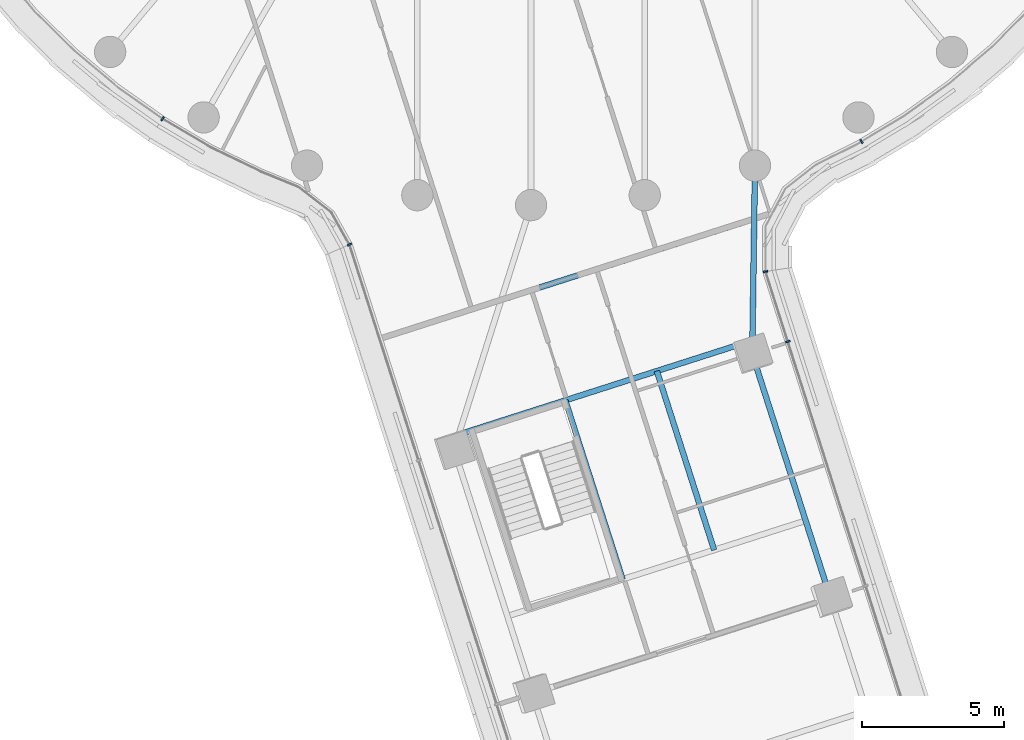
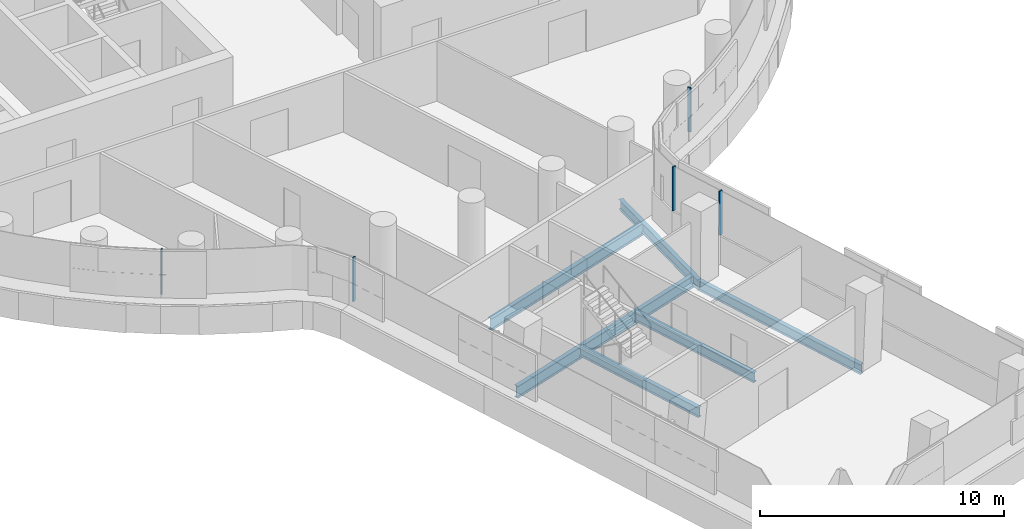
# One storey, part 3 of 30: 6 beams, 5 members, 4 elements without a shape of their own.
"""IFC4 building model written with IfcOpenShell, lengths in metres."""

from ifc_helpers import new_model, si_unit, direction, frame, origin, origin_2d, place, context, subcontext, project, spatial, rectangle, i_section, extrude, material, layer, layer_set, material_profile, profile_set, type_object, element, aggregate, save


model = new_model("IFC4")

# Units and contexts
model_context = context("Model", 3, precision=1e-05, world=origin(), true_north=direction((0.0, 1.0)))
body_context = subcontext(model_context, "Body", "Model", "MODEL_VIEW")
ifc_project = project(units=[si_unit("LENGTHUNIT", "METRE"), si_unit("AREAUNIT", "SQUARE_METRE"), si_unit("VOLUMEUNIT", "CUBIC_METRE"), si_unit("PLANEANGLEUNIT", "RADIAN"), si_unit("MASSUNIT", "GRAM", prefix="KILO")], contexts=[model_context])

# Site, building, storey
site_placement = place(None, origin())
site = spatial("IfcSite", under=ifc_project, at=site_placement, CompositionType="ELEMENT")
building_placement = place(site_placement, origin())
building = spatial("IfcBuilding", under=site, at=building_placement, Name="Tamarind Cross Interchange Tower", CompositionType="ELEMENT")
storey_placement = place(building_placement, frame((0.0, 0.0, 98.5)))
storey = spatial("IfcBuildingStorey", under=building, at=storey_placement, Name="L23", CompositionType="ELEMENT", Elevation=98.5)

# Beams
ifc_material_1 = material(Name="Steel Q355B", Category="steel")
ifc_material_profile_1 = material_profile(ifc_material_1, i_section(OverallWidth=0.198974609375, OverallDepth=0.49609375, WebThickness=0.009033203125, FlangeThickness=0.013916015625, FilletRadius=0.012939453125, at=origin_2d()), Name="HN 496x199x9x14")
ifc_profile_set_1 = profile_set([ifc_material_profile_1], Name="Steel Q355B")
beam_type_1 = type_object("IfcBeamType", Name="Composite beam HN 496x199x9x14 Q355B", PredefinedType="BEAM", material=ifc_profile_set_1)
beam_1_placement = place(storey_placement, frame((10.515380859375, -36.797607421875, -0.387939453125), z_axis=(-0.305065089063, 0.95233150291, 0.0), x_axis=(-0.95233150291, -0.305065089063, 0.0)))
element("IfcBeam", 1, at=beam_1_placement, inside=storey, type_object=beam_type_1, Name="Beam S-edgeep3", PredefinedType="BEAM", context=body_context, shape_type="SweptSolid", body=[
    extrude(i_section(OverallWidth=0.198974609375, OverallDepth=0.49609375, WebThickness=0.009033203125, FlangeThickness=0.013916015625, FilletRadius=0.012939453125, at=origin_2d()), origin(), (0.0, 0.0, 1.0), 9.0),
])
beam_2_placement = place(storey_placement, frame((7.769775390625, -28.2265625, -0.387939453125), z_axis=(0.014616918092, 0.999893167146, 0.0), x_axis=(-0.999893167146, 0.014616918092, 0.0)))
element("IfcBeam", 2, at=beam_2_placement, inside=storey, type_object=beam_type_1, Name="Beam S-linkep", PredefinedType="BEAM", context=body_context, shape_type="SweptSolid", body=[
    extrude(i_section(OverallWidth=0.198974609375, OverallDepth=0.49609375, WebThickness=0.009033203125, FlangeThickness=0.013916015625, FilletRadius=0.012939453125, at=origin_2d()), origin(), (0.0, 0.0, 1.0), 6.6142578125),
])
for number, where, z_axis, x_axis, name in (
    (3, (1.204345703125, -29.857177734375, -0.387939453125), (0.3050642854, -0.952331760351, 0.0), (0.952331760351, 0.3050642854, 0.0), "Beam S-tr1"),
    (4, (4.41845703125, -28.82763671875, -0.387939453125), (0.3050642854, -0.952331760351, 0.0), (0.952331760351, 0.3050642854, 0.0), "Beam S-stripp"),
):
    element("IfcBeam", number, at=place(storey_placement, frame(where, z_axis=z_axis, x_axis=x_axis)), inside=storey, type_object=beam_type_1, Name=name, PredefinedType="BEAM", context=body_context, shape_type="SweptSolid", body=[
        extrude(i_section(OverallWidth=0.198974609375, OverallDepth=0.49609375, WebThickness=0.009033203125, FlangeThickness=0.013916015625, FilletRadius=0.012939453125, at=origin_2d()), origin(), (0.0, 0.0, 1.0), 6.60009765625),
    ])
ifc_material_profile_2 = material_profile(ifc_material_1, i_section(OverallWidth=0.199951171875, OverallDepth=0.60009765625, WebThickness=0.010986328125, FlangeThickness=0.01708984375, FilletRadius=0.012939453125, at=origin_2d()), Name="HN 600x200x11x17")
ifc_profile_set_2 = profile_set([ifc_material_profile_2], Name="Steel Q355B")
beam_type_2 = type_object("IfcBeamType", Name="Composite beam HN 600x200x11x17 Q355B", PredefinedType="BEAM", material=ifc_profile_set_2)
beam_3_placement = place(storey_placement, frame((-2.5400390625, -31.056640625, -0.43994140625), z_axis=(0.952329639629, 0.305070905667, 0.0), x_axis=(-0.305070905667, 0.952329639629, 0.0)))
element("IfcBeam", 5, at=beam_3_placement, inside=storey, type_object=beam_type_2, Name="Beam S-x298", PredefinedType="BEAM", context=body_context, shape_type="SweptSolid", body=[
    extrude(i_section(OverallWidth=0.199951171875, OverallDepth=0.60009765625, WebThickness=0.010986328125, FlangeThickness=0.01708984375, FilletRadius=0.012939453125, at=origin_2d()), origin(), (0.0, 0.0, 1.0), 10.833251953125),
])
beam_4_placement = place(storey_placement, frame((-1.048583984375, -26.326171875, -0.43994140625), z_axis=(0.952327508714, 0.305077557593, 0.0), x_axis=(-0.305077557593, 0.952327508714, 0.0)))
element("IfcBeam", 6, at=beam_4_placement, inside=storey, type_object=beam_type_2, Name="Beam S-x258", PredefinedType="BEAM", context=body_context, shape_type="SweptSolid", body=[
    extrude(i_section(OverallWidth=0.199951171875, OverallDepth=0.60009765625, WebThickness=0.010986328125, FlangeThickness=0.01708984375, FilletRadius=0.012939453125, at=origin_2d()), origin(), (0.0, 0.0, 1.0), 9.33251953125),
])

# Curtain wall, member
ifc_material_2 = material(Name="Aluminium 6063-T6", Category="aluminium")
ifc_layer = layer(ifc_material_2, 0.159912109375)
ifc_layer_set = layer_set([ifc_layer], Name="Aluminium 6063-T6")
curtain_wall_type = type_object("IfcCurtainWallType", Name="Office curtain wall, 9.0 m bays", PredefinedType="NOTDEFINED", material=ifc_layer_set)
curtain_wall_1_placement = place(storey_placement, origin())
curtain_wall_1 = element("IfcCurtainWall", 7, at=curtain_wall_1_placement, inside=storey, type_object=curtain_wall_type, Name="CWS-L23-10", PredefinedType="NOTDEFINED")
ifc_material_profile_3 = material_profile(ifc_material_2, rectangle(XDim=0.06005859375, YDim=0.159912109375, at=origin_2d()), Name="Mullion CW1")
ifc_profile_set_3 = profile_set([ifc_material_profile_3], Name="Aluminium 6063-T6")
member_type = type_object("IfcMemberType", Name="Mullion CW1", PredefinedType="MULLION", material=ifc_profile_set_3)
member_1_placement = place(storey_placement, frame((-12.942138671875, -19.9677734375, 1.39990234375), z_axis=(0.0, 0.0, 1.0), x_axis=(0.816341886298, -0.577568978284, 0.0)))
member_1 = element("IfcMember", 8, at=member_1_placement, type_object=member_type, Name="CWM-L23-10-02", PredefinedType="MULLION", context=body_context, shape_type="SweptSolid", body=[
    extrude(rectangle(XDim=0.06005859375, YDim=0.159912109375, at=origin_2d()), origin(), (0.0, 0.0, 1.0), 2.210205078125),
])
aggregate(curtain_wall_1, [member_1])

curtain_wall_2_placement = place(storey_placement, origin())
curtain_wall_2 = element("IfcCurtainWall", 9, at=curtain_wall_2_placement, inside=storey, type_object=curtain_wall_type, Name="CWS-L23-11", PredefinedType="NOTDEFINED")
member_2_placement = place(storey_placement, frame((-6.377197265625, -24.3828125, 1.39990234375), z_axis=(0.0, 0.0, 1.0), x_axis=(0.399478956045, -0.916742364941, 0.0)))
member_2 = element("IfcMember", 10, at=member_2_placement, type_object=member_type, Name="CWM-L23-11-00", PredefinedType="MULLION", context=body_context, shape_type="SweptSolid", body=[
    extrude(rectangle(XDim=0.06005859375, YDim=0.159912109375, at=origin_2d()), origin(), (0.0, 0.0, 1.0), 2.210205078125),
])
aggregate(curtain_wall_2, [member_2])

curtain_wall_3_placement = place(storey_placement, origin())
curtain_wall_3 = element("IfcCurtainWall", 11, at=curtain_wall_3_placement, inside=storey, type_object=curtain_wall_type, Name="CWS-L23-13", PredefinedType="NOTDEFINED")
member_3_placement = place(storey_placement, frame((9.021728515625, -27.793212890625, 1.39990234375), z_axis=(0.0, 0.0, 1.0), x_axis=(-0.303682573614, 0.952773264992, 0.0)))
member_3 = element("IfcMember", 12, at=member_3_placement, type_object=member_type, Name="CWM-L23-13-02", PredefinedType="MULLION", context=body_context, shape_type="SweptSolid", body=[
    extrude(rectangle(XDim=0.06005859375, YDim=0.159912109375, at=origin_2d()), origin(), (0.0, 0.0, 1.0), 2.210205078125),
])
aggregate(curtain_wall_3, [member_3])

# Curtain wall, members
curtain_wall_4_placement = place(storey_placement, origin())
curtain_wall_4 = element("IfcCurtainWall", 13, at=curtain_wall_4_placement, inside=storey, type_object=curtain_wall_type, Name="CWS-L23-14", PredefinedType="NOTDEFINED")
member_4_placement = place(storey_placement, frame((8.2373046875, -25.332763671875, 1.39990234375), z_axis=(0.0, 0.0, 1.0), x_axis=(-0.153604377977, 0.988132427899, 0.0)))
member_4 = element("IfcMember", 14, at=member_4_placement, type_object=member_type, Name="CWM-L23-14-00", PredefinedType="MULLION", context=body_context, shape_type="SweptSolid", body=[
    extrude(rectangle(XDim=0.06005859375, YDim=0.159912109375, at=origin_2d()), origin(), (0.0, 0.0, 1.0), 2.210205078125),
])
member_5_placement = place(storey_placement, frame((11.608154296875, -20.762939453125, 1.39990234375), z_axis=(0.0, 0.0, 1.0), x_axis=(0.856843065292, 0.515577308909, 0.0)))
member_5 = element("IfcMember", 15, at=member_5_placement, type_object=member_type, Name="CWM-L23-14-01", PredefinedType="MULLION", context=body_context, shape_type="SweptSolid", body=[
    extrude(rectangle(XDim=0.06005859375, YDim=0.159912109375, at=origin_2d()), origin(), (0.0, 0.0, 1.0), 2.210205078125),
])
aggregate(curtain_wall_4, [member_4, member_5])

save(model, "model.ifc")
